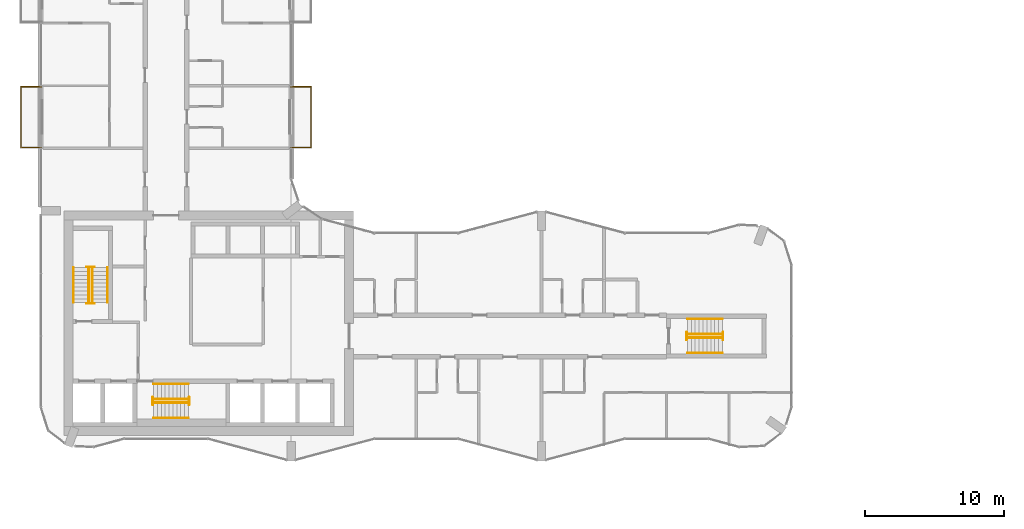
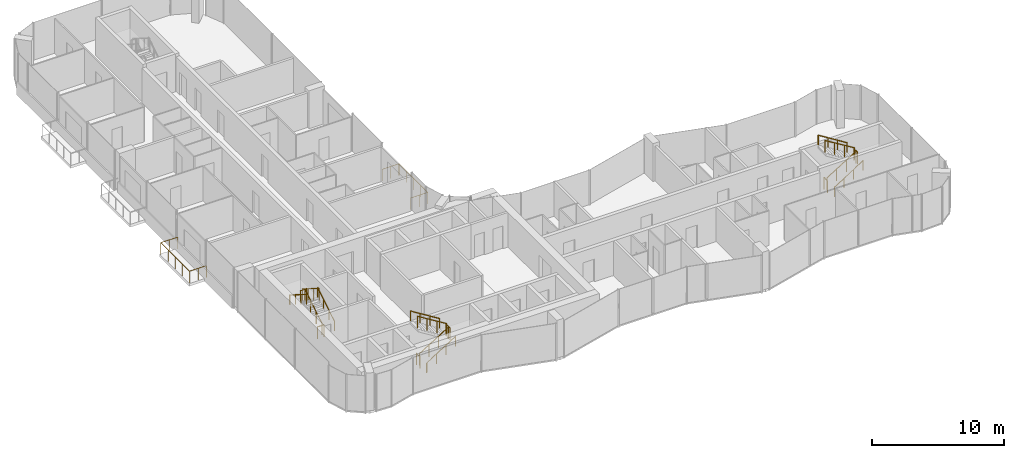
# One storey, part 17 of 19: 20 railings.
"""IFC4 building model written with IfcOpenShell, lengths in metres."""

import ifcopenshell
import ifcopenshell.guid

model = None  # the IFC model being written
_history = None  # IfcOwnerHistory: only IFC2X3 demands one
_inside = {}  # id of a spatial element -> (the spatial element, [elements in it])
_under = {}  # id of a project, library or spatial element -> (it, [spatial elements below it])
_declared = {}  # id of a project -> (the project, [libraries it declares])
_typed = {}  # id of a type object -> (the type object, [elements of that type])
_made_of = {}  # id of a material, layer set ... -> (it, [elements and type objects made of it])


def new_model(schema):
    """Start an empty IFC model of exactly this schema.

    Asked for "IFC4X3", IfcOpenShell would pick the latest addendum, in which some entities
    have other attributes; the version numbers below select the first issue.
    IFC2X3 requires an IfcOwnerHistory on every rooted entity: one is made here for all.
    """
    global model, _history
    if schema == "IFC4X3":
        model = ifcopenshell.file(schema_version=(4, 3, 0, 0))
    else:
        model = ifcopenshell.file(schema=schema)
    _inside.clear()
    _under.clear()
    _declared.clear()
    _typed.clear()
    _made_of.clear()
    _history = None
    if model.schema == "IFC2X3":
        org = make("IfcOrganization", Name="unknown")
        user = make(
            "IfcPersonAndOrganization",
            ThePerson=make("IfcPerson", FamilyName="unknown"),
            TheOrganization=org,
        )
        app = make(
            "IfcApplication",
            ApplicationDeveloper=org,
            Version="unknown",
            ApplicationFullName="unknown",
            ApplicationIdentifier="unknown",
        )
        _history = make(
            "IfcOwnerHistory",
            OwningUser=user,
            OwningApplication=app,
            ChangeAction="ADDED",
            CreationDate=0,
        )
    return model


def make(cls, **values):
    """One entity of the class cls with the attributes given. An attribute that is None is left unset."""
    return model.create_entity(
        cls, **{name: value for name, value in values.items() if value is not None}
    )


def rooted(cls, **values):
    """An entity with a GlobalId (a new one), such as an element, a storey or a relation."""
    return make(cls, GlobalId=ifcopenshell.guid.new(), OwnerHistory=_history, **values)


def si_unit(unit_type, name, prefix=None):
    """IfcSIUnit, for example si_unit("LENGTHUNIT", "METRE", prefix="MILLI")."""
    return make("IfcSIUnit", UnitType=unit_type, Prefix=prefix, Name=name)


def assignment(units):
    """IfcUnitAssignment: the units of a project."""
    return None if units is None else make("IfcUnitAssignment", Units=units)


def point(xyz):
    """IfcCartesianPoint."""
    return None if xyz is None else make("IfcCartesianPoint", Coordinates=xyz)


def direction(xyz):
    """IfcDirection."""
    return None if xyz is None else make("IfcDirection", DirectionRatios=xyz)


def frame(location, z_axis=None, x_axis=None):
    """IfcAxis2Placement3D, a coordinate frame: its origin and axes. An axis left out is left unset."""
    return make(
        "IfcAxis2Placement3D",
        Location=point(location),
        Axis=direction(z_axis),
        RefDirection=direction(x_axis),
    )


def frame_2d(location, x_axis=None):
    """IfcAxis2Placement2D, a coordinate frame in the plane: its origin and x axis."""
    return make(
        "IfcAxis2Placement2D", Location=point(location), RefDirection=direction(x_axis)
    )


def origin():
    """The frame at (0, 0, 0) with its axes left unset."""
    return frame((0.0, 0.0, 0.0))


def origin_2d():
    """The frame at (0, 0) in the plane with its x axis left unset."""
    return frame_2d((0.0, 0.0))


def place(relative_to, where):
    """IfcLocalPlacement: puts the frame where relative to a parent placement (None: the world)."""
    return make(
        "IfcLocalPlacement", PlacementRelTo=relative_to, RelativePlacement=where
    )


def context(
    kind, dimensions, precision=None, world=None, true_north=None, identifier=None
):
    """IfcGeometricRepresentationContext, for example the 3D "Model" context."""
    return make(
        "IfcGeometricRepresentationContext",
        ContextIdentifier=identifier,
        ContextType=kind,
        CoordinateSpaceDimension=dimensions,
        Precision=precision,
        WorldCoordinateSystem=world,
        TrueNorth=true_north,
    )


def subcontext(parent, identifier, kind, view, scale=None):
    """IfcGeometricRepresentationSubContext, for example "Body" below "Model"."""
    return make(
        "IfcGeometricRepresentationSubContext",
        ContextIdentifier=identifier,
        ContextType=kind,
        ParentContext=parent,
        TargetScale=scale,
        TargetView=view,
    )


def project(units=None, contexts=None):
    """IfcProject with its units and contexts."""
    return rooted(
        "IfcProject",
        Name="project",
        RepresentationContexts=contexts,
        UnitsInContext=assignment(units),
    )


def spatial(cls, under=None, at=None, **own):
    """A site, building, storey or space (cls), placed at a placement, below another one or the project."""
    s = rooted(cls, ObjectPlacement=at, **own)
    if under is not None:
        _under.setdefault(under.id(), (under, []))[1].append(s)
    return s


def profile(cls, at=None, kind="AREA", **sizes):
    """A parametric profile (cls). Its sizes go by their IFC names, for example OverallWidth=200.0."""
    return make(cls, ProfileType=kind, Position=at, **sizes)


def circle(**sizes):
    """IfcCircleProfileDef."""
    return profile("IfcCircleProfileDef", **sizes)


def extrude(swept, where, along, depth):
    """IfcExtrudedAreaSolid: the profile swept, set in the frame where, extruded along a direction by depth."""
    return make(
        "IfcExtrudedAreaSolid",
        SweptArea=swept,
        Position=where,
        ExtrudedDirection=direction(along),
        Depth=depth,
    )


def shape(context_of_items, identifier, shape_type, items):
    """IfcShapeRepresentation: the items that make up one representation, for example the "Body"."""
    return make(
        "IfcShapeRepresentation",
        ContextOfItems=context_of_items,
        RepresentationIdentifier=identifier,
        RepresentationType=shape_type,
        Items=items,
    )


def material(Name=None, Category=None):
    """IfcMaterial."""
    return make("IfcMaterial", Name=Name, Category=Category)


def made_of(thing, what):
    """Note that an element or type object is made of a material, layer set ...; save() writes the relation."""
    if what is not None:
        _made_of.setdefault(what.id(), (what, []))[1].append(thing)
    return thing


def type_object(cls, material=None, **own):
    """A type object (cls), such as IfcWallType, which elements share."""
    return made_of(rooted(cls, **own), material)


def element(
    cls,
    number,
    at=None,
    inside=None,
    cuts=None,
    type_object=None,
    material=None,
    context=None,
    identifier="Body",
    shape_type=None,
    held_by="IfcProductDefinitionShape",
    body=None,
    shapes=None,
    **own,
):
    """One element of the class cls, such as IfcWall. Its Tag is "e" and its number.

    at: its placement. inside: the storey or other place that contains it. cuts: it is an
    opening in that element (IfcRelVoidsElement). A single representation is given by context,
    identifier, shape_type and body (its items); several are given by shapes. held_by: the class
    of the entity that holds the representations. save() writes the other relations.
    """
    e = rooted(cls, Tag="e%d" % number, ObjectPlacement=at, **own)
    if body is not None:
        shapes = [shape(context, identifier, shape_type, body)]
    if shapes is not None:
        e.Representation = make(held_by, Representations=shapes)
    if inside is not None:
        _inside.setdefault(inside.id(), (inside, []))[1].append(e)
    if cuts is not None:
        rooted(
            "IfcRelVoidsElement", RelatingBuildingElement=cuts, RelatedOpeningElement=e
        )
    if type_object is not None:
        _typed.setdefault(type_object.id(), (type_object, []))[1].append(e)
    return made_of(e, material)


def aggregate(whole, parts):
    """IfcRelAggregates: a whole, such as a stair, and the parts it consists of."""
    return rooted("IfcRelAggregates", RelatingObject=whole, RelatedObjects=parts)


def save(model, path):
    """Write the relations noted so far, then the file.

    IfcRelAggregates (storeys below a building ...), IfcRelContainedInSpatialStructure (elements
    in a storey), IfcRelDefinesByType, IfcRelAssociatesMaterial and IfcRelDeclares: one each for
    every whole, place, type object, material and project.
    """
    for whole, parts in _under.values():
        aggregate(whole, parts)
    for where, things in _inside.values():
        rooted(
            "IfcRelContainedInSpatialStructure",
            RelatedElements=things,
            RelatingStructure=where,
        )
    for kind, things in _typed.values():
        rooted("IfcRelDefinesByType", RelatedObjects=things, RelatingType=kind)
    for what, things in _made_of.values():
        rooted("IfcRelAssociatesMaterial", RelatedObjects=things, RelatingMaterial=what)
    for by, libraries in _declared.values():
        rooted("IfcRelDeclares", RelatingContext=by, RelatedDefinitions=libraries)
    model.write(path)


model = new_model("IFC4")

# Units and contexts
model_context = context("Model", 3, precision=1e-05, world=origin(), true_north=direction((0.0, 1.0)))
body_context = subcontext(model_context, "Body", "Model", "MODEL_VIEW")
ifc_project = project(units=[si_unit("LENGTHUNIT", "METRE"), si_unit("AREAUNIT", "SQUARE_METRE"), si_unit("VOLUMEUNIT", "CUBIC_METRE"), si_unit("PLANEANGLEUNIT", "RADIAN"), si_unit("MASSUNIT", "GRAM", prefix="KILO")], contexts=[model_context])

# Site, building, storey
site_placement = place(None, origin())
site = spatial("IfcSite", under=ifc_project, at=site_placement, CompositionType="ELEMENT")
building_placement = place(site_placement, origin())
building = spatial("IfcBuilding", under=site, at=building_placement, Name="Plateau Cross Towers", CompositionType="ELEMENT")
storey_placement = place(building_placement, frame((0.0, 0.0, 120.300048828125)))
storey = spatial("IfcBuildingStorey", under=building, at=storey_placement, Name="L31", CompositionType="ELEMENT", Elevation=120.300048828125)

# Railings
ifc_material_1 = material(Name="Stainless steel and toughened glass", Category="steel")
railing_type_1 = type_object("IfcRailingType", Name="Glass balustrade guard 1100", PredefinedType="GUARDRAIL", material=ifc_material_1)
railing_1_placement = place(storey_placement, frame((0.050048828125, 22.570068359375, 0.0)))
element("IfcRailing", 1, at=railing_1_placement, inside=storey, type_object=railing_type_1, Name="Guard guard1", PredefinedType="GUARDRAIL", context=body_context, shape_type="SweptSolid", body=[
    extrude(circle(Radius=0.02392578125, at=origin_2d()), frame((0.0, 0.0, 1.076171875), z_axis=(-1.0, 0.0, 0.0), x_axis=(0.0, -1.0, 0.0)), (0.0, 0.0, 1.0), 1.47998046875),
    extrude(circle(Radius=0.02392578125, at=origin_2d()), frame((-1.47998046875, 0.0, 1.076171875), z_axis=(0.0, 1.0, 0.0), x_axis=(-1.0, 0.0, 0.0)), (0.0, 0.0, 1.0), 4.35986328125),
    extrude(circle(Radius=0.02392578125, at=origin_2d()), frame((-1.47998046875, 4.35986328125, 1.076171875), z_axis=(1.0, 0.0, 0.0), x_axis=(0.0, 1.0, 0.0)), (0.0, 0.0, 1.0), 1.47998046875),
    extrude(circle(Radius=0.02099609375, at=origin_2d()), origin(), (0.0, 0.0, 1.0), 1.052001953125),
    extrude(circle(Radius=0.02099609375, at=origin_2d()), frame((-0.739990234375, 0.0, 0.0)), (0.0, 0.0, 1.0), 1.052001953125),
    extrude(circle(Radius=0.02099609375, at=origin_2d()), frame((-1.47998046875, 0.0, 0.0)), (0.0, 0.0, 1.0), 1.052001953125),
    extrude(circle(Radius=0.02099609375, at=origin_2d()), frame((-1.47998046875, 1.08984375, 0.0)), (0.0, 0.0, 1.0), 1.052001953125),
    extrude(circle(Radius=0.02099609375, at=origin_2d()), frame((-1.47998046875, 2.179931640625, 0.0)), (0.0, 0.0, 1.0), 1.052001953125),
    extrude(circle(Radius=0.02099609375, at=origin_2d()), frame((-1.47998046875, 3.27001953125, 0.0)), (0.0, 0.0, 1.0), 1.052001953125),
    extrude(circle(Radius=0.02099609375, at=origin_2d()), frame((-1.47998046875, 4.35986328125, 0.0)), (0.0, 0.0, 1.0), 1.052001953125),
    extrude(circle(Radius=0.02099609375, at=origin_2d()), frame((-0.739990234375, 4.35986328125, 0.0)), (0.0, 0.0, 1.0), 1.052001953125),
    extrude(circle(Radius=0.02099609375, at=origin_2d()), frame((0.0, 4.35986328125, 0.0)), (0.0, 0.0, 1.0), 1.052001953125),
])
railing_2_placement = place(storey_placement, frame((17.949951171875, 26.929931640625, 0.0)))
element("IfcRailing", 2, at=railing_2_placement, inside=storey, type_object=railing_type_1, Name="Guard guard1", PredefinedType="GUARDRAIL", context=body_context, shape_type="SweptSolid", body=[
    extrude(circle(Radius=0.02392578125, at=origin_2d()), frame((0.0, 0.0, 1.076171875), z_axis=(1.0, 0.0, 0.0), x_axis=(0.0, 1.0, 0.0)), (0.0, 0.0, 1.0), 1.47998046875),
    extrude(circle(Radius=0.02392578125, at=origin_2d()), frame((1.47998046875, 0.0, 1.076171875), z_axis=(0.0, -1.0, 0.0), x_axis=(1.0, 0.0, 0.0)), (0.0, 0.0, 1.0), 4.35986328125),
    extrude(circle(Radius=0.02392578125, at=origin_2d()), frame((1.47998046875, -4.35986328125, 1.076171875), z_axis=(-1.0, 0.0, 0.0), x_axis=(0.0, -1.0, 0.0)), (0.0, 0.0, 1.0), 1.47998046875),
    extrude(circle(Radius=0.02099609375, at=origin_2d()), origin(), (0.0, 0.0, 1.0), 1.052001953125),
    extrude(circle(Radius=0.02099609375, at=origin_2d()), frame((0.739990234375, 0.0, 0.0)), (0.0, 0.0, 1.0), 1.052001953125),
    extrude(circle(Radius=0.02099609375, at=origin_2d()), frame((1.47998046875, 0.0, 0.0)), (0.0, 0.0, 1.0), 1.052001953125),
    extrude(circle(Radius=0.02099609375, at=origin_2d()), frame((1.47998046875, -1.08984375, 0.0)), (0.0, 0.0, 1.0), 1.052001953125),
    extrude(circle(Radius=0.02099609375, at=origin_2d()), frame((1.47998046875, -2.179931640625, 0.0)), (0.0, 0.0, 1.0), 1.052001953125),
    extrude(circle(Radius=0.02099609375, at=origin_2d()), frame((1.47998046875, -3.27001953125, 0.0)), (0.0, 0.0, 1.0), 1.052001953125),
    extrude(circle(Radius=0.02099609375, at=origin_2d()), frame((1.47998046875, -4.35986328125, 0.0)), (0.0, 0.0, 1.0), 1.052001953125),
    extrude(circle(Radius=0.02099609375, at=origin_2d()), frame((0.739990234375, -4.35986328125, 0.0)), (0.0, 0.0, 1.0), 1.052001953125),
    extrude(circle(Radius=0.02099609375, at=origin_2d()), frame((0.0, -4.35986328125, 0.0)), (0.0, 0.0, 1.0), 1.052001953125),
])
railing_type_2 = type_object("IfcRailingType", Name="RL-GUARD-1100", PredefinedType="GUARDRAIL", material=ifc_material_1)
railing_3_placement = place(storey_placement, frame((3.699951171875, 11.39990234375, 0.175048828125)))
element("IfcRailing", 3, at=railing_3_placement, inside=storey, type_object=railing_type_2, Name="L31 ST-1 stair guard 1", PredefinedType="GUARDRAIL", context=body_context, shape_type="SweptSolid", body=[
    extrude(circle(Radius=0.02392578125, at=origin_2d()), frame((0.0, 0.0, 1.076171875), z_axis=(0.0, 0.848007534815, 0.529984170421), x_axis=(-1.0, 0.0, 0.0)), (0.0, 0.0, 1.0), 2.9716796875),
    extrude(circle(Radius=0.02099609375, at=origin_2d()), origin(), (0.0, 0.0, 1.0), 1.052001953125),
    extrude(circle(Radius=0.02099609375, at=origin_2d()), frame((0.0, 0.840087890625, 0.52490234375)), (0.0, 0.0, 1.0), 1.052001953125),
    extrude(circle(Radius=0.02099609375, at=origin_2d()), frame((0.0, 1.679931640625, 1.050048828125)), (0.0, 0.0, 1.0), 1.052001953125),
    extrude(circle(Radius=0.02099609375, at=origin_2d()), frame((0.0, 2.52001953125, 1.574951171875)), (0.0, 0.0, 1.0), 1.052001953125),
])
railing_4_placement = place(storey_placement, frame((3.85009765625, 13.969970703125, 1.75)))
element("IfcRailing", 4, at=railing_4_placement, inside=storey, type_object=railing_type_2, Name="L31 ST-1 stair guard 2", PredefinedType="GUARDRAIL", context=body_context, shape_type="SweptSolid", body=[
    extrude(circle(Radius=0.02392578125, at=origin_2d()), frame((0.0, 0.0, 1.076171875), z_axis=(-1.0, 0.0, 0.0), x_axis=(0.0, -1.0, 0.0)), (0.0, 0.0, 1.0), 0.550048828125),
    extrude(circle(Radius=0.02099609375, at=origin_2d()), origin(), (0.0, 0.0, 1.0), 1.052001953125),
    extrude(circle(Radius=0.02099609375, at=origin_2d()), frame((-0.550048828125, 0.0, 0.0)), (0.0, 0.0, 1.0), 1.052001953125),
])
railing_5_placement = place(storey_placement, frame((3.449951171875, 13.919921875, 1.925048828125)))
element("IfcRailing", 5, at=railing_5_placement, inside=storey, type_object=railing_type_2, Name="L31 ST-1 stair guard 3", PredefinedType="GUARDRAIL", context=body_context, shape_type="SweptSolid", body=[
    extrude(circle(Radius=0.02392578125, at=origin_2d()), frame((0.0, 0.0, 1.076171875), z_axis=(0.0, -0.852616386126, 0.522537365276), x_axis=(1.0, 0.0, 0.0)), (0.0, 0.0, 1.0), 3.01416015625),
    extrude(circle(Radius=0.02099609375, at=origin_2d()), origin(), (0.0, 0.0, 1.0), 1.052001953125),
    extrude(circle(Radius=0.02099609375, at=origin_2d()), frame((0.0, -0.856689453125, 0.52490234375)), (0.0, 0.0, 1.0), 1.052001953125),
    extrude(circle(Radius=0.02099609375, at=origin_2d()), frame((0.0, -1.713134765625, 1.050048828125)), (0.0, 0.0, 1.0), 1.052001953125),
    extrude(circle(Radius=0.02099609375, at=origin_2d()), frame((0.0, -2.56982421875, 1.574951171875)), (0.0, 0.0, 1.0), 1.052001953125),
])
railing_6_placement = place(storey_placement, frame((3.85009765625, 11.35009765625, 0.0)))
element("IfcRailing", 6, at=railing_6_placement, inside=storey, type_object=railing_type_2, Name="L31 ST-1 stair guard 4", PredefinedType="GUARDRAIL", context=body_context, shape_type="SweptSolid", body=[
    extrude(circle(Radius=0.02392578125, at=origin_2d()), frame((0.0, 0.0, 1.076171875), z_axis=(-1.0, 0.0, 0.0), x_axis=(0.0, -1.0, 0.0)), (0.0, 0.0, 1.0), 0.550048828125),
    extrude(circle(Radius=0.02099609375, at=origin_2d()), origin(), (0.0, 0.0, 1.0), 1.052001953125),
    extrude(circle(Radius=0.02099609375, at=origin_2d()), frame((-0.550048828125, 0.0, 0.0)), (0.0, 0.0, 1.0), 1.052001953125),
])
railing_7_placement = place(storey_placement, frame((8.10009765625, 4.199951171875, 0.175048828125)))
element("IfcRailing", 7, at=railing_7_placement, inside=storey, type_object=railing_type_2, Name="L31 ST-2 stair guard 1", PredefinedType="GUARDRAIL", context=body_context, shape_type="SweptSolid", body=[
    extrude(circle(Radius=0.02392578125, at=origin_2d()), frame((0.0, 0.0, 1.076171875), z_axis=(0.848007534815, 0.0, 0.529984170421), x_axis=(0.0, 1.0, 0.0)), (0.0, 0.0, 1.0), 2.9716796875),
    extrude(circle(Radius=0.02099609375, at=origin_2d()), origin(), (0.0, 0.0, 1.0), 1.052001953125),
    extrude(circle(Radius=0.02099609375, at=origin_2d()), frame((0.840087890625, 0.0, 0.52490234375)), (0.0, 0.0, 1.0), 1.052001953125),
    extrude(circle(Radius=0.02099609375, at=origin_2d()), frame((1.679931640625, 0.0, 1.050048828125)), (0.0, 0.0, 1.0), 1.052001953125),
    extrude(circle(Radius=0.02099609375, at=origin_2d()), frame((2.52001953125, 0.0, 1.574951171875)), (0.0, 0.0, 1.0), 1.052001953125),
])
railing_8_placement = place(storey_placement, frame((10.669921875, 4.050048828125, 1.75)))
element("IfcRailing", 8, at=railing_8_placement, inside=storey, type_object=railing_type_2, Name="L31 ST-2 stair guard 2", PredefinedType="GUARDRAIL", context=body_context, shape_type="SweptSolid", body=[
    extrude(circle(Radius=0.02392578125, at=origin_2d()), frame((0.0, 0.0, 1.076171875), z_axis=(0.0, 1.0, 0.0), x_axis=(-1.0, 0.0, 0.0)), (0.0, 0.0, 1.0), 0.550048828125),
    extrude(circle(Radius=0.02099609375, at=origin_2d()), origin(), (0.0, 0.0, 1.0), 1.052001953125),
    extrude(circle(Radius=0.02099609375, at=origin_2d()), frame((0.0, 0.550048828125, 0.0)), (0.0, 0.0, 1.0), 1.052001953125),
])
railing_9_placement = place(storey_placement, frame((10.6201171875, 4.449951171875, 1.925048828125)))
element("IfcRailing", 9, at=railing_9_placement, inside=storey, type_object=railing_type_2, Name="L31 ST-2 stair guard 3", PredefinedType="GUARDRAIL", context=body_context, shape_type="SweptSolid", body=[
    extrude(circle(Radius=0.02392578125, at=origin_2d()), frame((0.0, 0.0, 1.076171875), z_axis=(-0.852638500773, 0.0, 0.522501279423), x_axis=(0.0, -1.0, 0.0)), (0.0, 0.0, 1.0), 3.01416015625),
    extrude(circle(Radius=0.02099609375, at=origin_2d()), origin(), (0.0, 0.0, 1.0), 1.052001953125),
    extrude(circle(Radius=0.02099609375, at=origin_2d()), frame((-0.856689453125, 0.0, 0.52490234375)), (0.0, 0.0, 1.0), 1.052001953125),
    extrude(circle(Radius=0.02099609375, at=origin_2d()), frame((-1.71337890625, 0.0, 1.050048828125)), (0.0, 0.0, 1.0), 1.052001953125),
    extrude(circle(Radius=0.02099609375, at=origin_2d()), frame((-2.570068359375, 0.0, 1.574951171875)), (0.0, 0.0, 1.0), 1.052001953125),
])
railing_10_placement = place(storey_placement, frame((8.050048828125, 4.050048828125, 0.0)))
element("IfcRailing", 10, at=railing_10_placement, inside=storey, type_object=railing_type_2, Name="L31 ST-2 stair guard 4", PredefinedType="GUARDRAIL", context=body_context, shape_type="SweptSolid", body=[
    extrude(circle(Radius=0.02392578125, at=origin_2d()), frame((0.0, 0.0, 1.076171875), z_axis=(0.0, 1.0, 0.0), x_axis=(-1.0, 0.0, 0.0)), (0.0, 0.0, 1.0), 0.550048828125),
    extrude(circle(Radius=0.02099609375, at=origin_2d()), origin(), (0.0, 0.0, 1.0), 1.052001953125),
    extrude(circle(Radius=0.02099609375, at=origin_2d()), frame((0.0, 0.550048828125, 0.0)), (0.0, 0.0, 1.0), 1.052001953125),
])
railing_11_placement = place(storey_placement, frame((46.5, 8.875, 0.175048828125)))
element("IfcRailing", 11, at=railing_11_placement, inside=storey, type_object=railing_type_2, Name="L31 ES-E stair guard 1", PredefinedType="GUARDRAIL", context=body_context, shape_type="SweptSolid", body=[
    extrude(circle(Radius=0.02392578125, at=origin_2d()), frame((0.0, 0.0, 1.076171875), z_axis=(0.848007534815, 0.0, 0.529984170421), x_axis=(0.0, 1.0, 0.0)), (0.0, 0.0, 1.0), 2.9716796875),
    extrude(circle(Radius=0.02099609375, at=origin_2d()), origin(), (0.0, 0.0, 1.0), 1.052001953125),
    extrude(circle(Radius=0.02099609375, at=origin_2d()), frame((0.840087890625, 0.0, 0.52490234375)), (0.0, 0.0, 1.0), 1.052001953125),
    extrude(circle(Radius=0.02099609375, at=origin_2d()), frame((1.679931640625, 0.0, 1.050048828125)), (0.0, 0.0, 1.0), 1.052001953125),
    extrude(circle(Radius=0.02099609375, at=origin_2d()), frame((2.52001953125, 0.0, 1.574951171875)), (0.0, 0.0, 1.0), 1.052001953125),
])
railing_12_placement = place(storey_placement, frame((49.070068359375, 8.72509765625, 1.75)))
element("IfcRailing", 12, at=railing_12_placement, inside=storey, type_object=railing_type_2, Name="L31 ES-E stair guard 2", PredefinedType="GUARDRAIL", context=body_context, shape_type="SweptSolid", body=[
    extrude(circle(Radius=0.02392578125, at=origin_2d()), frame((0.0, 0.0, 1.076171875), z_axis=(0.0, 1.0, 0.0), x_axis=(-1.0, 0.0, 0.0)), (0.0, 0.0, 1.0), 0.5498046875),
    extrude(circle(Radius=0.02099609375, at=origin_2d()), origin(), (0.0, 0.0, 1.0), 1.052001953125),
    extrude(circle(Radius=0.02099609375, at=origin_2d()), frame((0.0, 0.5498046875, 0.0)), (0.0, 0.0, 1.0), 1.052001953125),
])
railing_13_placement = place(storey_placement, frame((49.02001953125, 9.125, 1.925048828125)))
element("IfcRailing", 13, at=railing_13_placement, inside=storey, type_object=railing_type_2, Name="L31 ES-E stair guard 3", PredefinedType="GUARDRAIL", context=body_context, shape_type="SweptSolid", body=[
    extrude(circle(Radius=0.02392578125, at=origin_2d()), frame((0.0, 0.0, 1.076171875), z_axis=(-0.852638500773, 0.0, 0.522501279423), x_axis=(0.0, -1.0, 0.0)), (0.0, 0.0, 1.0), 3.01416015625),
    extrude(circle(Radius=0.02099609375, at=origin_2d()), origin(), (0.0, 0.0, 1.0), 1.052001953125),
    extrude(circle(Radius=0.02099609375, at=origin_2d()), frame((-0.856689453125, 0.0, 0.52490234375)), (0.0, 0.0, 1.0), 1.052001953125),
    extrude(circle(Radius=0.02099609375, at=origin_2d()), frame((-1.71337890625, 0.0, 1.050048828125)), (0.0, 0.0, 1.0), 1.052001953125),
    extrude(circle(Radius=0.02099609375, at=origin_2d()), frame((-2.570068359375, 0.0, 1.574951171875)), (0.0, 0.0, 1.0), 1.052001953125),
])
railing_14_placement = place(storey_placement, frame((46.449951171875, 8.72509765625, 0.0)))
element("IfcRailing", 14, at=railing_14_placement, inside=storey, type_object=railing_type_2, Name="L31 ES-E stair guard 4", PredefinedType="GUARDRAIL", context=body_context, shape_type="SweptSolid", body=[
    extrude(circle(Radius=0.02392578125, at=origin_2d()), frame((0.0, 0.0, 1.076171875), z_axis=(0.0, 1.0, 0.0), x_axis=(-1.0, 0.0, 0.0)), (0.0, 0.0, 1.0), 0.5498046875),
    extrude(circle(Radius=0.02099609375, at=origin_2d()), origin(), (0.0, 0.0, 1.0), 1.052001953125),
    extrude(circle(Radius=0.02099609375, at=origin_2d()), frame((0.0, 0.5498046875, 0.0)), (0.0, 0.0, 1.0), 1.052001953125),
])
ifc_material_2 = material(Name="Black anodised aluminium", Category="aluminium")
railing_type_3 = type_object("IfcRailingType", Name="RL-HANDRAIL-900", PredefinedType="HANDRAIL", material=ifc_material_2)
railing_15_placement = place(storey_placement, frame((4.800048828125, 11.39990234375, 0.175048828125)))
element("IfcRailing", 15, at=railing_15_placement, inside=storey, type_object=railing_type_3, Name="L31 ST-1 stair handrail 1", PredefinedType="HANDRAIL", context=body_context, shape_type="SweptSolid", body=[
    extrude(circle(Radius=0.02392578125, at=origin_2d()), frame((0.0, 0.0, 0.8759765625), z_axis=(0.0, 0.848007534815, 0.529984170421), x_axis=(-1.0, 0.0, 0.0)), (0.0, 0.0, 1.0), 2.9716796875),
    extrude(circle(Radius=0.02099609375, at=origin_2d()), origin(), (0.0, 0.0, 1.0), 0.851806640625),
    extrude(circle(Radius=0.02099609375, at=origin_2d()), frame((0.0, 0.840087890625, 0.52490234375)), (0.0, 0.0, 1.0), 0.851806640625),
    extrude(circle(Radius=0.02099609375, at=origin_2d()), frame((0.0, 1.679931640625, 1.050048828125)), (0.0, 0.0, 1.0), 0.851806640625),
    extrude(circle(Radius=0.02099609375, at=origin_2d()), frame((0.0, 2.52001953125, 1.574951171875)), (0.0, 0.0, 1.0), 0.851806640625),
])
railing_16_placement = place(storey_placement, frame((2.35009765625, 13.919921875, 1.925048828125)))
element("IfcRailing", 16, at=railing_16_placement, inside=storey, type_object=railing_type_3, Name="L31 ST-1 stair handrail 2", PredefinedType="HANDRAIL", context=body_context, shape_type="SweptSolid", body=[
    extrude(circle(Radius=0.02392578125, at=origin_2d()), frame((0.0, 0.0, 0.8759765625), z_axis=(0.0, -0.848007534815, 0.529984170421), x_axis=(1.0, 0.0, 0.0)), (0.0, 0.0, 1.0), 2.9716796875),
    extrude(circle(Radius=0.02099609375, at=origin_2d()), origin(), (0.0, 0.0, 1.0), 0.851806640625),
    extrude(circle(Radius=0.02099609375, at=origin_2d()), frame((0.0, -0.840087890625, 0.52490234375)), (0.0, 0.0, 1.0), 0.851806640625),
    extrude(circle(Radius=0.02099609375, at=origin_2d()), frame((0.0, -1.679931640625, 1.050048828125)), (0.0, 0.0, 1.0), 0.851806640625),
    extrude(circle(Radius=0.02099609375, at=origin_2d()), frame((0.0, -2.52001953125, 1.574951171875)), (0.0, 0.0, 1.0), 0.851806640625),
])
railing_17_placement = place(storey_placement, frame((8.10009765625, 3.10009765625, 0.175048828125)))
element("IfcRailing", 17, at=railing_17_placement, inside=storey, type_object=railing_type_3, Name="L31 ST-2 stair handrail 1", PredefinedType="HANDRAIL", context=body_context, shape_type="SweptSolid", body=[
    extrude(circle(Radius=0.02392578125, at=origin_2d()), frame((0.0, 0.0, 0.8759765625), z_axis=(0.848007534815, 0.0, 0.529984170421), x_axis=(0.0, 1.0, 0.0)), (0.0, 0.0, 1.0), 2.9716796875),
    extrude(circle(Radius=0.02099609375, at=origin_2d()), origin(), (0.0, 0.0, 1.0), 0.851806640625),
    extrude(circle(Radius=0.02099609375, at=origin_2d()), frame((0.840087890625, 0.0, 0.52490234375)), (0.0, 0.0, 1.0), 0.851806640625),
    extrude(circle(Radius=0.02099609375, at=origin_2d()), frame((1.679931640625, 0.0, 1.050048828125)), (0.0, 0.0, 1.0), 0.851806640625),
    extrude(circle(Radius=0.02099609375, at=origin_2d()), frame((2.52001953125, 0.0, 1.574951171875)), (0.0, 0.0, 1.0), 0.851806640625),
])
railing_18_placement = place(storey_placement, frame((10.6201171875, 5.550048828125, 1.925048828125)))
element("IfcRailing", 18, at=railing_18_placement, inside=storey, type_object=railing_type_3, Name="L31 ST-2 stair handrail 2", PredefinedType="HANDRAIL", context=body_context, shape_type="SweptSolid", body=[
    extrude(circle(Radius=0.02392578125, at=origin_2d()), frame((0.0, 0.0, 0.8759765625), z_axis=(-0.848007534815, 0.0, 0.529984170421), x_axis=(0.0, -1.0, 0.0)), (0.0, 0.0, 1.0), 2.9716796875),
    extrude(circle(Radius=0.02099609375, at=origin_2d()), origin(), (0.0, 0.0, 1.0), 0.851806640625),
    extrude(circle(Radius=0.02099609375, at=origin_2d()), frame((-0.840087890625, 0.0, 0.52490234375)), (0.0, 0.0, 1.0), 0.851806640625),
    extrude(circle(Radius=0.02099609375, at=origin_2d()), frame((-1.679931640625, 0.0, 1.050048828125)), (0.0, 0.0, 1.0), 0.851806640625),
    extrude(circle(Radius=0.02099609375, at=origin_2d()), frame((-2.52001953125, 0.0, 1.574951171875)), (0.0, 0.0, 1.0), 0.851806640625),
])
railing_19_placement = place(storey_placement, frame((46.5, 7.77490234375, 0.175048828125)))
element("IfcRailing", 19, at=railing_19_placement, inside=storey, type_object=railing_type_3, Name="L31 ES-E stair handrail 1", PredefinedType="HANDRAIL", context=body_context, shape_type="SweptSolid", body=[
    extrude(circle(Radius=0.02392578125, at=origin_2d()), frame((0.0, 0.0, 0.8759765625), z_axis=(0.848007534815, 0.0, 0.529984170421), x_axis=(0.0, 1.0, 0.0)), (0.0, 0.0, 1.0), 2.9716796875),
    extrude(circle(Radius=0.02099609375, at=origin_2d()), origin(), (0.0, 0.0, 1.0), 0.851806640625),
    extrude(circle(Radius=0.02099609375, at=origin_2d()), frame((0.840087890625, 0.0, 0.52490234375)), (0.0, 0.0, 1.0), 0.851806640625),
    extrude(circle(Radius=0.02099609375, at=origin_2d()), frame((1.679931640625, 0.0, 1.050048828125)), (0.0, 0.0, 1.0), 0.851806640625),
    extrude(circle(Radius=0.02099609375, at=origin_2d()), frame((2.52001953125, 0.0, 1.574951171875)), (0.0, 0.0, 1.0), 0.851806640625),
])
railing_20_placement = place(storey_placement, frame((49.02001953125, 10.22509765625, 1.925048828125)))
element("IfcRailing", 20, at=railing_20_placement, inside=storey, type_object=railing_type_3, Name="L31 ES-E stair handrail 2", PredefinedType="HANDRAIL", context=body_context, shape_type="SweptSolid", body=[
    extrude(circle(Radius=0.02392578125, at=origin_2d()), frame((0.0, 0.0, 0.8759765625), z_axis=(-0.848007534815, 0.0, 0.529984170421), x_axis=(0.0, -1.0, 0.0)), (0.0, 0.0, 1.0), 2.9716796875),
    extrude(circle(Radius=0.02099609375, at=origin_2d()), origin(), (0.0, 0.0, 1.0), 0.851806640625),
    extrude(circle(Radius=0.02099609375, at=origin_2d()), frame((-0.840087890625, 0.0, 0.52490234375)), (0.0, 0.0, 1.0), 0.851806640625),
    extrude(circle(Radius=0.02099609375, at=origin_2d()), frame((-1.679931640625, 0.0, 1.050048828125)), (0.0, 0.0, 1.0), 0.851806640625),
    extrude(circle(Radius=0.02099609375, at=origin_2d()), frame((-2.52001953125, 0.0, 1.574951171875)), (0.0, 0.0, 1.0), 0.851806640625),
])

save(model, "model.ifc")
